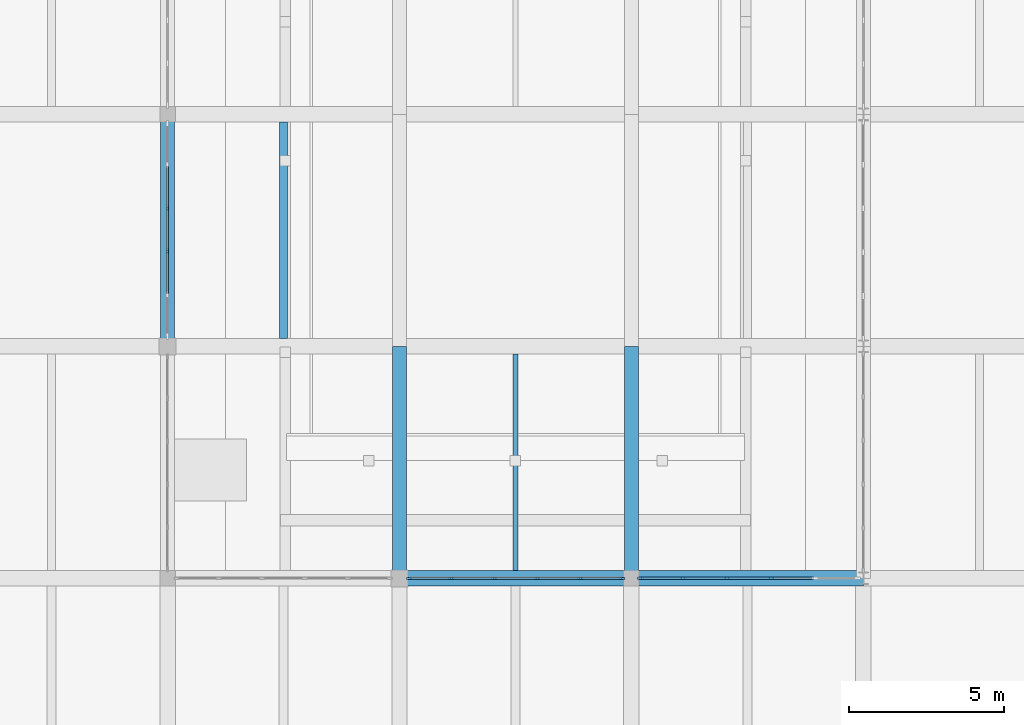
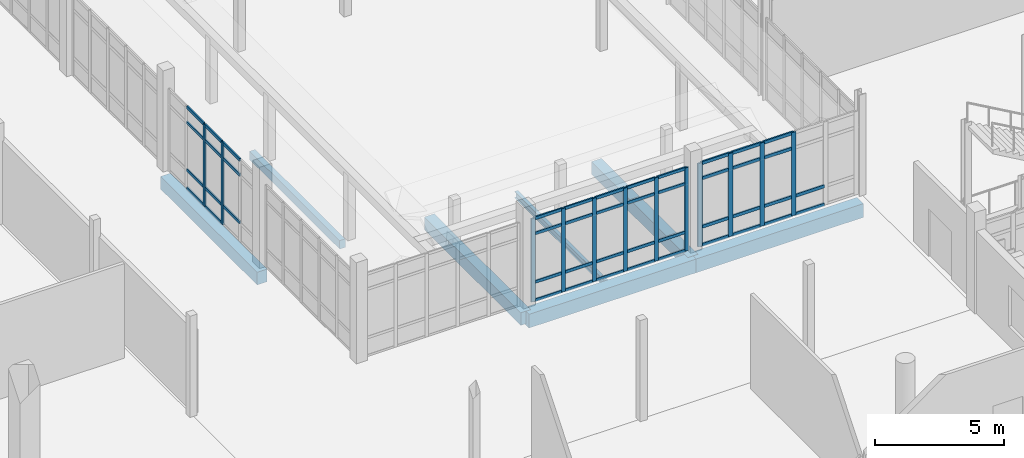
# One storey, part 25 of 125: 57 members, 7 beams, 3 elements without a shape of their own.
"""IFC4 building model written with IfcOpenShell, lengths in metres."""

from ifc_helpers import new_model, si_unit, direction, frame, origin, origin_2d, place, context, subcontext, project, spatial, rectangle, i_section, extrude, material, layer, layer_set, material_profile, profile_set, type_object, element, aggregate, save


model = new_model("IFC4")

# Units and contexts
model_context = context("Model", 3, precision=1e-05, world=origin(), true_north=direction((0.0, 1.0)))
body_context = subcontext(model_context, "Body", "Model", "MODEL_VIEW")
ifc_project = project(units=[si_unit("LENGTHUNIT", "METRE"), si_unit("AREAUNIT", "SQUARE_METRE"), si_unit("VOLUMEUNIT", "CUBIC_METRE"), si_unit("PLANEANGLEUNIT", "RADIAN"), si_unit("MASSUNIT", "GRAM", prefix="KILO")], contexts=[model_context])

# Site, building, storey
site_placement = place(None, origin())
site = spatial("IfcSite", under=ifc_project, at=site_placement, CompositionType="ELEMENT")
building_placement = place(site_placement, origin())
building = spatial("IfcBuilding", under=site, at=building_placement, Name="Dalvernix Boulevard General Hospital", CompositionType="ELEMENT")
storey_placement = place(building_placement, origin())
storey = spatial("IfcBuildingStorey", under=building, at=storey_placement, Name="L00", CompositionType="ELEMENT", Elevation=0.0)

# Beams
ifc_material_1 = material(Name="Concrete C35/45", Category="concrete")
ifc_material_profile_1 = material_profile(ifc_material_1, rectangle(XDim=0.5, YDim=0.64990234375, at=origin_2d()), Name="RCB 500x650")
ifc_profile_set_1 = profile_set([ifc_material_profile_1], Name="Concrete C35/45")
beam_type_1 = type_object("IfcBeamType", Name="BM-B-02-I", PredefinedType="BEAM", material=ifc_profile_set_1)
for number, where, z_axis, x_axis, name in (
    (1, (45.0, 31.5, -0.68505859375), (1.0, 0.0, 0.0), (0.0, 1.0, 0.0), "L00 E-W girder E:7-8"),
    (2, (52.5, 31.5, -0.68505859375), (1.0, 0.0, 0.0), (0.0, 1.0, 0.0), "L00 E-W girder E:8-9"),
):
    element("IfcBeam", number, at=place(storey_placement, frame(where, z_axis=z_axis, x_axis=x_axis)), inside=storey, type_object=beam_type_1, Name=name, PredefinedType="BEAM", context=body_context, shape_type="SweptSolid", body=[
        extrude(rectangle(XDim=0.5, YDim=0.64990234375, at=origin_2d()), origin(), (0.0, 0.0, 1.0), 7.5),
    ])
ifc_material_profile_2 = material_profile(ifc_material_1, rectangle(XDim=0.449951171875, YDim=0.60009765625, at=origin_2d()), Name="RCB 450x600")
ifc_profile_set_2 = profile_set([ifc_material_profile_2], Name="Concrete C35/45")
beam_type_2 = type_object("IfcBeamType", Name="BM-B-04-I", PredefinedType="BEAM", material=ifc_profile_set_2)
for number, where, z_axis, x_axis, name in (
    (3, (37.5, 39.0, -0.659912109375), (0.0, 1.0, 0.0), (-1.0, 0.0, 0.0), "L00 N-S girder 6:F-G"),
    (4, (45.0, 31.5, -0.659912109375), (0.0, 1.0, 0.0), (-1.0, 0.0, 0.0), "L00 N-S girder 7:E-F"),
    (5, (52.5, 31.5, -0.659912109375), (0.0, 1.0, 0.0), (-1.0, 0.0, 0.0), "L00 N-S girder 8:E-F"),
):
    element("IfcBeam", number, at=place(storey_placement, frame(where, z_axis=z_axis, x_axis=x_axis)), inside=storey, type_object=beam_type_2, Name=name, PredefinedType="BEAM", context=body_context, shape_type="SweptSolid", body=[
        extrude(rectangle(XDim=0.449951171875, YDim=0.60009765625, at=origin_2d()), origin(), (0.0, 0.0, 1.0), 7.5),
    ])
ifc_material_profile_3 = material_profile(ifc_material_1, rectangle(XDim=0.25, YDim=0.39990234375, at=origin_2d()), Name="RCB 250x400")
ifc_profile_set_3 = profile_set([ifc_material_profile_3], Name="Concrete C35/45")
beam_type_3 = type_object("IfcBeamType", Name="BM-JB-02", PredefinedType="JOIST", material=ifc_profile_set_3)
beam_1_placement = place(storey_placement, frame((41.25, 39.25, -0.56005859375), z_axis=(0.0, 1.0, 0.0), x_axis=(-1.0, 0.0, 0.0)))
element("IfcBeam", 6, at=beam_1_placement, inside=storey, type_object=beam_type_3, Name="L00 secondary floor beam 6-F", PredefinedType="JOIST", context=body_context, shape_type="SweptSolid", body=[
    extrude(rectangle(XDim=0.25, YDim=0.39990234375, at=origin_2d()), origin(), (0.0, 0.0, 1.0), 7.0),
])
ifc_material_2 = material(Name="Steel S355", Category="steel")
ifc_material_profile_4 = material_profile(ifc_material_2, i_section(OverallWidth=0.14990234375, OverallDepth=0.300048828125, WebThickness=0.007080078125, FlangeThickness=0.0107421875, FilletRadius=0.014892578125, at=origin_2d()), Name="IPE 300")
ifc_profile_set_4 = profile_set([ifc_material_profile_4], Name="Steel S355")
beam_type_4 = type_object("IfcBeamType", Name="BM-JB-03", PredefinedType="JOIST", material=ifc_profile_set_4)
beam_2_placement = place(storey_placement, frame((48.75, 31.75, -0.510009765625), z_axis=(0.0, 1.0, 0.0), x_axis=(-1.0, 0.0, 0.0)))
element("IfcBeam", 7, at=beam_2_placement, inside=storey, type_object=beam_type_4, Name="L00 secondary floor beam 7-E", PredefinedType="JOIST", context=body_context, shape_type="SweptSolid", body=[
    extrude(i_section(OverallWidth=0.14990234375, OverallDepth=0.300048828125, WebThickness=0.007080078125, FlangeThickness=0.0107421875, FilletRadius=0.014892578125, at=origin_2d()), origin(), (0.0, 0.0, 1.0), 7.0),
])

# Curtain wall, members
ifc_material_3 = material(Name="Thermally broken aluminium and solar-control glass curtain wall", Category="aluminium")
ifc_layer_1 = layer(ifc_material_3, 0.179931640625)
ifc_layer_set_1 = layer_set([ifc_layer_1], Name="Thermally broken aluminium and solar-control glass curtain wall (CW-CW-B-70x39)")
curtain_wall_type_1 = type_object("IfcCurtainWallType", Name="CW-CW-B-70x39", PredefinedType="USERDEFINED", material=ifc_layer_set_1)
curtain_wall_1_placement = place(storey_placement, origin())
curtain_wall_1 = element("IfcCurtainWall", 8, at=curtain_wall_1_placement, inside=storey, type_object=curtain_wall_type_1, Name="L00 curtain wall CW-B-70x39 5-5", ObjectType="GLAZED FACADE", PredefinedType="USERDEFINED")
ifc_material_4 = material(Name="Aluminium EN AW-6060", Category="aluminium")
ifc_material_profile_5 = material_profile(ifc_material_4, rectangle(XDim=0.06494140625, YDim=0.179931640625, at=origin_2d()), Name="ALU MULL 65x180")
ifc_profile_set_5 = profile_set([ifc_material_profile_5], Name="Aluminium EN AW-6060")
member_type_1 = type_object("IfcMemberType", Name="MEM-CW-M2", PredefinedType="MULLION", material=ifc_profile_set_5)
member_1_placement = place(storey_placement, frame((37.5, 43.4580078125, 0.0), z_axis=(0.0, 0.0, 1.0), x_axis=(1.0, 0.0, 0.0)))
member_1 = element("IfcMember", 9, at=member_1_placement, type_object=member_type_1, Name="CW-B-70x39 mullion 3", PredefinedType="MULLION", context=body_context, shape_type="SweptSolid", body=[
    extrude(rectangle(XDim=0.06494140625, YDim=0.179931640625, at=origin_2d()), origin(), (0.0, 0.0, 1.0), 3.89990234375),
])
member_2_placement = place(storey_placement, frame((37.5, 42.06689453125, 0.0), z_axis=(0.0, 0.0, 1.0), x_axis=(1.0, 0.0, 0.0)))
member_2 = element("IfcMember", 10, at=member_2_placement, type_object=member_type_1, Name="CW-B-70x39 mullion 4", PredefinedType="MULLION", context=body_context, shape_type="SweptSolid", body=[
    extrude(rectangle(XDim=0.06494140625, YDim=0.179931640625, at=origin_2d()), origin(), (0.0, 0.0, 1.0), 3.89990234375),
])

ifc_layer_2 = layer(ifc_material_3, 0.179931640625)
ifc_layer_set_2 = layer_set([ifc_layer_2], Name="Thermally broken aluminium and solar-control glass curtain wall (CW-CW-B-70x40)")
curtain_wall_type_2 = type_object("IfcCurtainWallType", Name="CW-CW-B-70x40", PredefinedType="USERDEFINED", material=ifc_layer_set_2)
curtain_wall_2_placement = place(storey_placement, origin())
curtain_wall_2 = element("IfcCurtainWall", 11, at=curtain_wall_2_placement, inside=storey, type_object=curtain_wall_type_2, Name="L00 curtain wall CW-B-70x40 6-4", ObjectType="GLAZED FACADE", PredefinedType="USERDEFINED")
member_3_placement = place(storey_placement, frame((45.3173828125, 31.5, 0.0), z_axis=(0.0, 0.0, 1.0), x_axis=(0.0, 1.0, 0.0)))
member_3 = element("IfcMember", 12, at=member_3_placement, type_object=member_type_1, Name="CW-B-70x40 mullion 1", PredefinedType="MULLION", context=body_context, shape_type="SweptSolid", body=[
    extrude(rectangle(XDim=0.06494140625, YDim=0.179931640625, at=origin_2d()), origin(), (0.0, 0.0, 1.0), 3.949951171875),
])
member_4_placement = place(storey_placement, frame((46.676025390625, 31.5, 0.0), z_axis=(0.0, 0.0, 1.0), x_axis=(0.0, 1.0, 0.0)))
member_4 = element("IfcMember", 13, at=member_4_placement, type_object=member_type_1, Name="CW-B-70x40 mullion 2", PredefinedType="MULLION", context=body_context, shape_type="SweptSolid", body=[
    extrude(rectangle(XDim=0.06494140625, YDim=0.179931640625, at=origin_2d()), origin(), (0.0, 0.0, 1.0), 3.949951171875),
])
member_5_placement = place(storey_placement, frame((48.06689453125, 31.5, 0.0), z_axis=(0.0, 0.0, 1.0), x_axis=(0.0, 1.0, 0.0)))
member_5 = element("IfcMember", 14, at=member_5_placement, type_object=member_type_1, Name="CW-B-70x40 mullion 3", PredefinedType="MULLION", context=body_context, shape_type="SweptSolid", body=[
    extrude(rectangle(XDim=0.06494140625, YDim=0.179931640625, at=origin_2d()), origin(), (0.0, 0.0, 1.0), 3.949951171875),
])
member_6_placement = place(storey_placement, frame((49.4580078125, 31.5, 0.0), z_axis=(0.0, 0.0, 1.0), x_axis=(0.0, 1.0, 0.0)))
member_6 = element("IfcMember", 15, at=member_6_placement, type_object=member_type_1, Name="CW-B-70x40 mullion 4", PredefinedType="MULLION", context=body_context, shape_type="SweptSolid", body=[
    extrude(rectangle(XDim=0.06494140625, YDim=0.179931640625, at=origin_2d()), origin(), (0.0, 0.0, 1.0), 3.949951171875),
])
member_7_placement = place(storey_placement, frame((50.84912109375, 31.5, 0.0), z_axis=(0.0, 0.0, 1.0), x_axis=(0.0, 1.0, 0.0)))
member_7 = element("IfcMember", 16, at=member_7_placement, type_object=member_type_1, Name="CW-B-70x40 mullion 5", PredefinedType="MULLION", context=body_context, shape_type="SweptSolid", body=[
    extrude(rectangle(XDim=0.06494140625, YDim=0.179931640625, at=origin_2d()), origin(), (0.0, 0.0, 1.0), 3.949951171875),
])
member_8_placement = place(storey_placement, frame((52.20751953125, 31.5, 0.0), z_axis=(0.0, 0.0, 1.0), x_axis=(0.0, 1.0, 0.0)))
member_8 = element("IfcMember", 17, at=member_8_placement, type_object=member_type_1, Name="CW-B-70x40 mullion 6", PredefinedType="MULLION", context=body_context, shape_type="SweptSolid", body=[
    extrude(rectangle(XDim=0.06494140625, YDim=0.179931640625, at=origin_2d()), origin(), (0.0, 0.0, 1.0), 3.949951171875),
])

ifc_layer_3 = layer(ifc_material_3, 0.199951171875)
ifc_layer_set_3 = layer_set([ifc_layer_3], Name="Thermally broken aluminium and solar-control glass curtain wall (CW-CW-C-71x40)")
curtain_wall_type_3 = type_object("IfcCurtainWallType", Name="CW-CW-C-71x40", PredefinedType="USERDEFINED", material=ifc_layer_set_3)
curtain_wall_3_placement = place(storey_placement, origin())
curtain_wall_3 = element("IfcCurtainWall", 18, at=curtain_wall_3_placement, inside=storey, type_object=curtain_wall_type_3, Name="L00 curtain wall CW-C-71x40 7-4", ObjectType="GLAZED FACADE", PredefinedType="USERDEFINED")
ifc_material_profile_6 = material_profile(ifc_material_4, rectangle(XDim=0.070068359375, YDim=0.199951171875, at=origin_2d()), Name="ALU MULL 70x200")
ifc_profile_set_6 = profile_set([ifc_material_profile_6], Name="Aluminium EN AW-6060")
member_type_2 = type_object("IfcMemberType", Name="MEM-CW-M3", PredefinedType="MULLION", material=ifc_profile_set_6)
member_9_placement = place(storey_placement, frame((52.794921875, 31.5, 0.0), z_axis=(0.0, 0.0, 1.0), x_axis=(0.0, 1.0, 0.0)))
member_9 = element("IfcMember", 19, at=member_9_placement, type_object=member_type_2, Name="CW-C-71x40 mullion 1", PredefinedType="MULLION", context=body_context, shape_type="SweptSolid", body=[
    extrude(rectangle(XDim=0.070068359375, YDim=0.199951171875, at=origin_2d()), origin(), (0.0, 0.0, 1.0), 3.949951171875),
])
member_10_placement = place(storey_placement, frame((54.176025390625, 31.5, 0.0), z_axis=(0.0, 0.0, 1.0), x_axis=(0.0, 1.0, 0.0)))
member_10 = element("IfcMember", 20, at=member_10_placement, type_object=member_type_2, Name="CW-C-71x40 mullion 2", PredefinedType="MULLION", context=body_context, shape_type="SweptSolid", body=[
    extrude(rectangle(XDim=0.070068359375, YDim=0.199951171875, at=origin_2d()), origin(), (0.0, 0.0, 1.0), 3.949951171875),
])
member_11_placement = place(storey_placement, frame((55.592041015625, 31.5, 0.0), z_axis=(0.0, 0.0, 1.0), x_axis=(0.0, 1.0, 0.0)))
member_11 = element("IfcMember", 21, at=member_11_placement, type_object=member_type_2, Name="CW-C-71x40 mullion 3", PredefinedType="MULLION", context=body_context, shape_type="SweptSolid", body=[
    extrude(rectangle(XDim=0.070068359375, YDim=0.199951171875, at=origin_2d()), origin(), (0.0, 0.0, 1.0), 3.949951171875),
])
member_12_placement = place(storey_placement, frame((57.008056640625, 31.5, 0.0), z_axis=(0.0, 0.0, 1.0), x_axis=(0.0, 1.0, 0.0)))
member_12 = element("IfcMember", 22, at=member_12_placement, type_object=member_type_2, Name="CW-C-71x40 mullion 4", PredefinedType="MULLION", context=body_context, shape_type="SweptSolid", body=[
    extrude(rectangle(XDim=0.070068359375, YDim=0.199951171875, at=origin_2d()), origin(), (0.0, 0.0, 1.0), 3.949951171875),
])

# Member
ifc_material_profile_7 = material_profile(ifc_material_4, rectangle(XDim=0.06494140625, YDim=0.139892578125, at=origin_2d()), Name="ALU TRAN 65x140")
ifc_profile_set_7 = profile_set([ifc_material_profile_7], Name="Aluminium EN AW-6060")
member_type_3 = type_object("IfcMemberType", Name="MEM-CW-T2", PredefinedType="USERDEFINED", material=ifc_profile_set_7)
member_13_placement = place(storey_placement, frame((37.5, 44.81640625, 0.032470703125), z_axis=(0.0, -1.0, 0.0), x_axis=(1.0, 0.0, 0.0)))
member_13 = element("IfcMember", 23, at=member_13_placement, type_object=member_type_3, Name="CW-B-70x39 transom 2.1", ObjectType="TRANSOM", PredefinedType="USERDEFINED", context=body_context, shape_type="SweptSolid", body=[
    extrude(rectangle(XDim=0.06494140625, YDim=0.139892578125, at=origin_2d()), origin(), (0.0, 0.0, 1.0), 1.325927734375),
])

member_14_placement = place(storey_placement, frame((37.5, 44.81640625, 0.89990234375), z_axis=(0.0, -1.0, 0.0), x_axis=(1.0, 0.0, 0.0)))
member_14 = element("IfcMember", 24, at=member_14_placement, type_object=member_type_3, Name="CW-B-70x39 transom 2.2", ObjectType="TRANSOM", PredefinedType="USERDEFINED", context=body_context, shape_type="SweptSolid", body=[
    extrude(rectangle(XDim=0.06494140625, YDim=0.139892578125, at=origin_2d()), origin(), (0.0, 0.0, 1.0), 1.325927734375),
])

member_15_placement = place(storey_placement, frame((37.5, 44.81640625, 3.14990234375), z_axis=(0.0, -1.0, 0.0), x_axis=(1.0, 0.0, 0.0)))
member_15 = element("IfcMember", 25, at=member_15_placement, type_object=member_type_3, Name="CW-B-70x39 transom 2.3", ObjectType="TRANSOM", PredefinedType="USERDEFINED", context=body_context, shape_type="SweptSolid", body=[
    extrude(rectangle(XDim=0.06494140625, YDim=0.139892578125, at=origin_2d()), origin(), (0.0, 0.0, 1.0), 1.325927734375),
])

member_16_placement = place(storey_placement, frame((37.5, 44.81640625, 3.867431640625), z_axis=(0.0, -1.0, 0.0), x_axis=(1.0, 0.0, 0.0)))
member_16 = element("IfcMember", 26, at=member_16_placement, type_object=member_type_3, Name="CW-B-70x39 transom 2.4", ObjectType="TRANSOM", PredefinedType="USERDEFINED", context=body_context, shape_type="SweptSolid", body=[
    extrude(rectangle(XDim=0.06494140625, YDim=0.139892578125, at=origin_2d()), origin(), (0.0, 0.0, 1.0), 1.325927734375),
])

member_17_placement = place(storey_placement, frame((37.5, 43.425537109375, 0.032470703125), z_axis=(0.0, -1.0, 0.0), x_axis=(1.0, 0.0, 0.0)))
member_17 = element("IfcMember", 27, at=member_17_placement, type_object=member_type_3, Name="CW-B-70x39 transom 3.1", ObjectType="TRANSOM", PredefinedType="USERDEFINED", context=body_context, shape_type="SweptSolid", body=[
    extrude(rectangle(XDim=0.06494140625, YDim=0.139892578125, at=origin_2d()), origin(), (0.0, 0.0, 1.0), 1.325927734375),
])

member_18_placement = place(storey_placement, frame((37.5, 43.425537109375, 0.89990234375), z_axis=(0.0, -1.0, 0.0), x_axis=(1.0, 0.0, 0.0)))
member_18 = element("IfcMember", 28, at=member_18_placement, type_object=member_type_3, Name="CW-B-70x39 transom 3.2", ObjectType="TRANSOM", PredefinedType="USERDEFINED", context=body_context, shape_type="SweptSolid", body=[
    extrude(rectangle(XDim=0.06494140625, YDim=0.139892578125, at=origin_2d()), origin(), (0.0, 0.0, 1.0), 1.325927734375),
])

member_19_placement = place(storey_placement, frame((37.5, 43.425537109375, 3.14990234375), z_axis=(0.0, -1.0, 0.0), x_axis=(1.0, 0.0, 0.0)))
member_19 = element("IfcMember", 29, at=member_19_placement, type_object=member_type_3, Name="CW-B-70x39 transom 3.3", ObjectType="TRANSOM", PredefinedType="USERDEFINED", context=body_context, shape_type="SweptSolid", body=[
    extrude(rectangle(XDim=0.06494140625, YDim=0.139892578125, at=origin_2d()), origin(), (0.0, 0.0, 1.0), 1.325927734375),
])

member_20_placement = place(storey_placement, frame((37.5, 43.425537109375, 3.867431640625), z_axis=(0.0, -1.0, 0.0), x_axis=(1.0, 0.0, 0.0)))
member_20 = element("IfcMember", 30, at=member_20_placement, type_object=member_type_3, Name="CW-B-70x39 transom 3.4", ObjectType="TRANSOM", PredefinedType="USERDEFINED", context=body_context, shape_type="SweptSolid", body=[
    extrude(rectangle(XDim=0.06494140625, YDim=0.139892578125, at=origin_2d()), origin(), (0.0, 0.0, 1.0), 1.325927734375),
])

member_21_placement = place(storey_placement, frame((37.5, 42.034423828125, 0.89990234375), z_axis=(0.0, -1.0, 0.0), x_axis=(1.0, 0.0, 0.0)))
member_21 = element("IfcMember", 31, at=member_21_placement, type_object=member_type_3, Name="CW-B-70x39 transom 4.2", ObjectType="TRANSOM", PredefinedType="USERDEFINED", context=body_context, shape_type="SweptSolid", body=[
    extrude(rectangle(XDim=0.06494140625, YDim=0.139892578125, at=origin_2d()), origin(), (0.0, 0.0, 1.0), 1.325927734375),
])

member_22_placement = place(storey_placement, frame((37.5, 42.034423828125, 3.14990234375), z_axis=(0.0, -1.0, 0.0), x_axis=(1.0, 0.0, 0.0)))
member_22 = element("IfcMember", 32, at=member_22_placement, type_object=member_type_3, Name="CW-B-70x39 transom 4.3", ObjectType="TRANSOM", PredefinedType="USERDEFINED", context=body_context, shape_type="SweptSolid", body=[
    extrude(rectangle(XDim=0.06494140625, YDim=0.139892578125, at=origin_2d()), origin(), (0.0, 0.0, 1.0), 1.325927734375),
])

member_23_placement = place(storey_placement, frame((37.5, 42.034423828125, 3.867431640625), z_axis=(0.0, -1.0, 0.0), x_axis=(1.0, 0.0, 0.0)))
member_23 = element("IfcMember", 33, at=member_23_placement, type_object=member_type_3, Name="CW-B-70x39 transom 4.4", ObjectType="TRANSOM", PredefinedType="USERDEFINED", context=body_context, shape_type="SweptSolid", body=[
    extrude(rectangle(XDim=0.06494140625, YDim=0.139892578125, at=origin_2d()), origin(), (0.0, 0.0, 1.0), 1.325927734375),
])

aggregate(curtain_wall_1, [member_1, member_2, member_13, member_14, member_15, member_16, member_17, member_18, member_19, member_20, member_21, member_22, member_23])

member_24_placement = place(storey_placement, frame((45.35009765625, 31.5, 0.032470703125), z_axis=(1.0, 0.0, 0.0), x_axis=(0.0, 1.0, 0.0)))
member_24 = element("IfcMember", 34, at=member_24_placement, type_object=member_type_3, Name="CW-B-70x40 transom 1.1", ObjectType="TRANSOM", PredefinedType="USERDEFINED", context=body_context, shape_type="SweptSolid", body=[
    extrude(rectangle(XDim=0.06494140625, YDim=0.139892578125, at=origin_2d()), origin(), (0.0, 0.0, 1.0), 1.29345703125),
])

member_25_placement = place(storey_placement, frame((45.35009765625, 31.5, 0.89990234375), z_axis=(1.0, 0.0, 0.0), x_axis=(0.0, 1.0, 0.0)))
member_25 = element("IfcMember", 35, at=member_25_placement, type_object=member_type_3, Name="CW-B-70x40 transom 1.2", ObjectType="TRANSOM", PredefinedType="USERDEFINED", context=body_context, shape_type="SweptSolid", body=[
    extrude(rectangle(XDim=0.06494140625, YDim=0.139892578125, at=origin_2d()), origin(), (0.0, 0.0, 1.0), 1.29345703125),
])

member_26_placement = place(storey_placement, frame((45.35009765625, 31.5, 3.199951171875), z_axis=(1.0, 0.0, 0.0), x_axis=(0.0, 1.0, 0.0)))
member_26 = element("IfcMember", 36, at=member_26_placement, type_object=member_type_3, Name="CW-B-70x40 transom 1.3", ObjectType="TRANSOM", PredefinedType="USERDEFINED", context=body_context, shape_type="SweptSolid", body=[
    extrude(rectangle(XDim=0.06494140625, YDim=0.139892578125, at=origin_2d()), origin(), (0.0, 0.0, 1.0), 1.29345703125),
])

member_27_placement = place(storey_placement, frame((45.35009765625, 31.5, 3.91748046875), z_axis=(1.0, 0.0, 0.0), x_axis=(0.0, 1.0, 0.0)))
member_27 = element("IfcMember", 37, at=member_27_placement, type_object=member_type_3, Name="CW-B-70x40 transom 1.4", ObjectType="TRANSOM", PredefinedType="USERDEFINED", context=body_context, shape_type="SweptSolid", body=[
    extrude(rectangle(XDim=0.06494140625, YDim=0.139892578125, at=origin_2d()), origin(), (0.0, 0.0, 1.0), 1.29345703125),
])

member_28_placement = place(storey_placement, frame((46.70849609375, 31.5, 0.032470703125), z_axis=(1.0, 0.0, 0.0), x_axis=(0.0, 1.0, 0.0)))
member_28 = element("IfcMember", 38, at=member_28_placement, type_object=member_type_3, Name="CW-B-70x40 transom 2.1", ObjectType="TRANSOM", PredefinedType="USERDEFINED", context=body_context, shape_type="SweptSolid", body=[
    extrude(rectangle(XDim=0.06494140625, YDim=0.139892578125, at=origin_2d()), origin(), (0.0, 0.0, 1.0), 1.325927734375),
])

member_29_placement = place(storey_placement, frame((46.70849609375, 31.5, 0.89990234375), z_axis=(1.0, 0.0, 0.0), x_axis=(0.0, 1.0, 0.0)))
member_29 = element("IfcMember", 39, at=member_29_placement, type_object=member_type_3, Name="CW-B-70x40 transom 2.2", ObjectType="TRANSOM", PredefinedType="USERDEFINED", context=body_context, shape_type="SweptSolid", body=[
    extrude(rectangle(XDim=0.06494140625, YDim=0.139892578125, at=origin_2d()), origin(), (0.0, 0.0, 1.0), 1.325927734375),
])

member_30_placement = place(storey_placement, frame((46.70849609375, 31.5, 3.199951171875), z_axis=(1.0, 0.0, 0.0), x_axis=(0.0, 1.0, 0.0)))
member_30 = element("IfcMember", 40, at=member_30_placement, type_object=member_type_3, Name="CW-B-70x40 transom 2.3", ObjectType="TRANSOM", PredefinedType="USERDEFINED", context=body_context, shape_type="SweptSolid", body=[
    extrude(rectangle(XDim=0.06494140625, YDim=0.139892578125, at=origin_2d()), origin(), (0.0, 0.0, 1.0), 1.325927734375),
])

member_31_placement = place(storey_placement, frame((46.70849609375, 31.5, 3.91748046875), z_axis=(1.0, 0.0, 0.0), x_axis=(0.0, 1.0, 0.0)))
member_31 = element("IfcMember", 41, at=member_31_placement, type_object=member_type_3, Name="CW-B-70x40 transom 2.4", ObjectType="TRANSOM", PredefinedType="USERDEFINED", context=body_context, shape_type="SweptSolid", body=[
    extrude(rectangle(XDim=0.06494140625, YDim=0.139892578125, at=origin_2d()), origin(), (0.0, 0.0, 1.0), 1.325927734375),
])

member_32_placement = place(storey_placement, frame((48.099609375, 31.5, 0.032470703125), z_axis=(1.0, 0.0, 0.0), x_axis=(0.0, 1.0, 0.0)))
member_32 = element("IfcMember", 42, at=member_32_placement, type_object=member_type_3, Name="CW-B-70x40 transom 3.1", ObjectType="TRANSOM", PredefinedType="USERDEFINED", context=body_context, shape_type="SweptSolid", body=[
    extrude(rectangle(XDim=0.06494140625, YDim=0.139892578125, at=origin_2d()), origin(), (0.0, 0.0, 1.0), 1.325927734375),
])

member_33_placement = place(storey_placement, frame((48.099609375, 31.5, 0.89990234375), z_axis=(1.0, 0.0, 0.0), x_axis=(0.0, 1.0, 0.0)))
member_33 = element("IfcMember", 43, at=member_33_placement, type_object=member_type_3, Name="CW-B-70x40 transom 3.2", ObjectType="TRANSOM", PredefinedType="USERDEFINED", context=body_context, shape_type="SweptSolid", body=[
    extrude(rectangle(XDim=0.06494140625, YDim=0.139892578125, at=origin_2d()), origin(), (0.0, 0.0, 1.0), 1.325927734375),
])

member_34_placement = place(storey_placement, frame((48.099609375, 31.5, 3.199951171875), z_axis=(1.0, 0.0, 0.0), x_axis=(0.0, 1.0, 0.0)))
member_34 = element("IfcMember", 44, at=member_34_placement, type_object=member_type_3, Name="CW-B-70x40 transom 3.3", ObjectType="TRANSOM", PredefinedType="USERDEFINED", context=body_context, shape_type="SweptSolid", body=[
    extrude(rectangle(XDim=0.06494140625, YDim=0.139892578125, at=origin_2d()), origin(), (0.0, 0.0, 1.0), 1.325927734375),
])

member_35_placement = place(storey_placement, frame((48.099609375, 31.5, 3.91748046875), z_axis=(1.0, 0.0, 0.0), x_axis=(0.0, 1.0, 0.0)))
member_35 = element("IfcMember", 45, at=member_35_placement, type_object=member_type_3, Name="CW-B-70x40 transom 3.4", ObjectType="TRANSOM", PredefinedType="USERDEFINED", context=body_context, shape_type="SweptSolid", body=[
    extrude(rectangle(XDim=0.06494140625, YDim=0.139892578125, at=origin_2d()), origin(), (0.0, 0.0, 1.0), 1.325927734375),
])

member_36_placement = place(storey_placement, frame((49.490478515625, 31.5, 0.032470703125), z_axis=(1.0, 0.0, 0.0), x_axis=(0.0, 1.0, 0.0)))
member_36 = element("IfcMember", 46, at=member_36_placement, type_object=member_type_3, Name="CW-B-70x40 transom 4.1", ObjectType="TRANSOM", PredefinedType="USERDEFINED", context=body_context, shape_type="SweptSolid", body=[
    extrude(rectangle(XDim=0.06494140625, YDim=0.139892578125, at=origin_2d()), origin(), (0.0, 0.0, 1.0), 1.325927734375),
])

member_37_placement = place(storey_placement, frame((49.490478515625, 31.5, 0.89990234375), z_axis=(1.0, 0.0, 0.0), x_axis=(0.0, 1.0, 0.0)))
member_37 = element("IfcMember", 47, at=member_37_placement, type_object=member_type_3, Name="CW-B-70x40 transom 4.2", ObjectType="TRANSOM", PredefinedType="USERDEFINED", context=body_context, shape_type="SweptSolid", body=[
    extrude(rectangle(XDim=0.06494140625, YDim=0.139892578125, at=origin_2d()), origin(), (0.0, 0.0, 1.0), 1.325927734375),
])

member_38_placement = place(storey_placement, frame((49.490478515625, 31.5, 3.199951171875), z_axis=(1.0, 0.0, 0.0), x_axis=(0.0, 1.0, 0.0)))
member_38 = element("IfcMember", 48, at=member_38_placement, type_object=member_type_3, Name="CW-B-70x40 transom 4.3", ObjectType="TRANSOM", PredefinedType="USERDEFINED", context=body_context, shape_type="SweptSolid", body=[
    extrude(rectangle(XDim=0.06494140625, YDim=0.139892578125, at=origin_2d()), origin(), (0.0, 0.0, 1.0), 1.325927734375),
])

member_39_placement = place(storey_placement, frame((49.490478515625, 31.5, 3.91748046875), z_axis=(1.0, 0.0, 0.0), x_axis=(0.0, 1.0, 0.0)))
member_39 = element("IfcMember", 49, at=member_39_placement, type_object=member_type_3, Name="CW-B-70x40 transom 4.4", ObjectType="TRANSOM", PredefinedType="USERDEFINED", context=body_context, shape_type="SweptSolid", body=[
    extrude(rectangle(XDim=0.06494140625, YDim=0.139892578125, at=origin_2d()), origin(), (0.0, 0.0, 1.0), 1.325927734375),
])

member_40_placement = place(storey_placement, frame((50.881591796875, 31.5, 0.032470703125), z_axis=(1.0, 0.0, 0.0), x_axis=(0.0, 1.0, 0.0)))
member_40 = element("IfcMember", 50, at=member_40_placement, type_object=member_type_3, Name="CW-B-70x40 transom 5.1", ObjectType="TRANSOM", PredefinedType="USERDEFINED", context=body_context, shape_type="SweptSolid", body=[
    extrude(rectangle(XDim=0.06494140625, YDim=0.139892578125, at=origin_2d()), origin(), (0.0, 0.0, 1.0), 1.29345703125),
])

member_41_placement = place(storey_placement, frame((50.881591796875, 31.5, 0.89990234375), z_axis=(1.0, 0.0, 0.0), x_axis=(0.0, 1.0, 0.0)))
member_41 = element("IfcMember", 51, at=member_41_placement, type_object=member_type_3, Name="CW-B-70x40 transom 5.2", ObjectType="TRANSOM", PredefinedType="USERDEFINED", context=body_context, shape_type="SweptSolid", body=[
    extrude(rectangle(XDim=0.06494140625, YDim=0.139892578125, at=origin_2d()), origin(), (0.0, 0.0, 1.0), 1.29345703125),
])

member_42_placement = place(storey_placement, frame((50.881591796875, 31.5, 3.199951171875), z_axis=(1.0, 0.0, 0.0), x_axis=(0.0, 1.0, 0.0)))
member_42 = element("IfcMember", 52, at=member_42_placement, type_object=member_type_3, Name="CW-B-70x40 transom 5.3", ObjectType="TRANSOM", PredefinedType="USERDEFINED", context=body_context, shape_type="SweptSolid", body=[
    extrude(rectangle(XDim=0.06494140625, YDim=0.139892578125, at=origin_2d()), origin(), (0.0, 0.0, 1.0), 1.29345703125),
])

member_43_placement = place(storey_placement, frame((50.881591796875, 31.5, 3.91748046875), z_axis=(1.0, 0.0, 0.0), x_axis=(0.0, 1.0, 0.0)))
member_43 = element("IfcMember", 53, at=member_43_placement, type_object=member_type_3, Name="CW-B-70x40 transom 5.4", ObjectType="TRANSOM", PredefinedType="USERDEFINED", context=body_context, shape_type="SweptSolid", body=[
    extrude(rectangle(XDim=0.06494140625, YDim=0.139892578125, at=origin_2d()), origin(), (0.0, 0.0, 1.0), 1.29345703125),
])

aggregate(curtain_wall_2, [member_3, member_4, member_5, member_6, member_7, member_8, member_24, member_25, member_26, member_27, member_28, member_29, member_30, member_31, member_32, member_33, member_34, member_35, member_36, member_37, member_38, member_39, member_40, member_41, member_42, member_43])

ifc_material_profile_8 = material_profile(ifc_material_4, rectangle(XDim=0.070068359375, YDim=0.14990234375, at=origin_2d()), Name="ALU TRAN 70x150")
ifc_profile_set_8 = profile_set([ifc_material_profile_8], Name="Aluminium EN AW-6060")
member_type_4 = type_object("IfcMemberType", Name="MEM-CW-T3", PredefinedType="USERDEFINED", material=ifc_profile_set_8)
member_44_placement = place(storey_placement, frame((52.830078125, 31.5, 0.034912109375), z_axis=(1.0, 0.0, 0.0), x_axis=(0.0, 1.0, 0.0)))
member_44 = element("IfcMember", 54, at=member_44_placement, type_object=member_type_4, Name="CW-C-71x40 transom 1.1", ObjectType="TRANSOM", PredefinedType="USERDEFINED", context=body_context, shape_type="SweptSolid", body=[
    extrude(rectangle(XDim=0.070068359375, YDim=0.14990234375, at=origin_2d()), origin(), (0.0, 0.0, 1.0), 1.31103515625),
])

member_45_placement = place(storey_placement, frame((52.830078125, 31.5, 0.89990234375), z_axis=(1.0, 0.0, 0.0), x_axis=(0.0, 1.0, 0.0)))
member_45 = element("IfcMember", 55, at=member_45_placement, type_object=member_type_4, Name="CW-C-71x40 transom 1.2", ObjectType="TRANSOM", PredefinedType="USERDEFINED", context=body_context, shape_type="SweptSolid", body=[
    extrude(rectangle(XDim=0.070068359375, YDim=0.14990234375, at=origin_2d()), origin(), (0.0, 0.0, 1.0), 1.31103515625),
])

member_46_placement = place(storey_placement, frame((52.830078125, 31.5, 3.199951171875), z_axis=(1.0, 0.0, 0.0), x_axis=(0.0, 1.0, 0.0)))
member_46 = element("IfcMember", 56, at=member_46_placement, type_object=member_type_4, Name="CW-C-71x40 transom 1.3", ObjectType="TRANSOM", PredefinedType="USERDEFINED", context=body_context, shape_type="SweptSolid", body=[
    extrude(rectangle(XDim=0.070068359375, YDim=0.14990234375, at=origin_2d()), origin(), (0.0, 0.0, 1.0), 1.31103515625),
])

member_47_placement = place(storey_placement, frame((52.830078125, 31.5, 3.9150390625), z_axis=(1.0, 0.0, 0.0), x_axis=(0.0, 1.0, 0.0)))
member_47 = element("IfcMember", 57, at=member_47_placement, type_object=member_type_4, Name="CW-C-71x40 transom 1.4", ObjectType="TRANSOM", PredefinedType="USERDEFINED", context=body_context, shape_type="SweptSolid", body=[
    extrude(rectangle(XDim=0.070068359375, YDim=0.14990234375, at=origin_2d()), origin(), (0.0, 0.0, 1.0), 1.31103515625),
])

member_48_placement = place(storey_placement, frame((54.2109375, 31.5, 0.034912109375), z_axis=(1.0, 0.0, 0.0), x_axis=(0.0, 1.0, 0.0)))
member_48 = element("IfcMember", 58, at=member_48_placement, type_object=member_type_4, Name="CW-C-71x40 transom 2.1", ObjectType="TRANSOM", PredefinedType="USERDEFINED", context=body_context, shape_type="SweptSolid", body=[
    extrude(rectangle(XDim=0.070068359375, YDim=0.14990234375, at=origin_2d()), origin(), (0.0, 0.0, 1.0), 1.345947265625),
])

member_49_placement = place(storey_placement, frame((54.2109375, 31.5, 0.89990234375), z_axis=(1.0, 0.0, 0.0), x_axis=(0.0, 1.0, 0.0)))
member_49 = element("IfcMember", 59, at=member_49_placement, type_object=member_type_4, Name="CW-C-71x40 transom 2.2", ObjectType="TRANSOM", PredefinedType="USERDEFINED", context=body_context, shape_type="SweptSolid", body=[
    extrude(rectangle(XDim=0.070068359375, YDim=0.14990234375, at=origin_2d()), origin(), (0.0, 0.0, 1.0), 1.345947265625),
])

member_50_placement = place(storey_placement, frame((54.2109375, 31.5, 3.199951171875), z_axis=(1.0, 0.0, 0.0), x_axis=(0.0, 1.0, 0.0)))
member_50 = element("IfcMember", 60, at=member_50_placement, type_object=member_type_4, Name="CW-C-71x40 transom 2.3", ObjectType="TRANSOM", PredefinedType="USERDEFINED", context=body_context, shape_type="SweptSolid", body=[
    extrude(rectangle(XDim=0.070068359375, YDim=0.14990234375, at=origin_2d()), origin(), (0.0, 0.0, 1.0), 1.345947265625),
])

member_51_placement = place(storey_placement, frame((54.2109375, 31.5, 3.9150390625), z_axis=(1.0, 0.0, 0.0), x_axis=(0.0, 1.0, 0.0)))
member_51 = element("IfcMember", 61, at=member_51_placement, type_object=member_type_4, Name="CW-C-71x40 transom 2.4", ObjectType="TRANSOM", PredefinedType="USERDEFINED", context=body_context, shape_type="SweptSolid", body=[
    extrude(rectangle(XDim=0.070068359375, YDim=0.14990234375, at=origin_2d()), origin(), (0.0, 0.0, 1.0), 1.345947265625),
])

member_52_placement = place(storey_placement, frame((55.626953125, 31.5, 0.034912109375), z_axis=(1.0, 0.0, 0.0), x_axis=(0.0, 1.0, 0.0)))
member_52 = element("IfcMember", 62, at=member_52_placement, type_object=member_type_4, Name="CW-C-71x40 transom 3.1", ObjectType="TRANSOM", PredefinedType="USERDEFINED", context=body_context, shape_type="SweptSolid", body=[
    extrude(rectangle(XDim=0.070068359375, YDim=0.14990234375, at=origin_2d()), origin(), (0.0, 0.0, 1.0), 1.345947265625),
])

member_53_placement = place(storey_placement, frame((55.626953125, 31.5, 0.89990234375), z_axis=(1.0, 0.0, 0.0), x_axis=(0.0, 1.0, 0.0)))
member_53 = element("IfcMember", 63, at=member_53_placement, type_object=member_type_4, Name="CW-C-71x40 transom 3.2", ObjectType="TRANSOM", PredefinedType="USERDEFINED", context=body_context, shape_type="SweptSolid", body=[
    extrude(rectangle(XDim=0.070068359375, YDim=0.14990234375, at=origin_2d()), origin(), (0.0, 0.0, 1.0), 1.345947265625),
])

member_54_placement = place(storey_placement, frame((55.626953125, 31.5, 3.199951171875), z_axis=(1.0, 0.0, 0.0), x_axis=(0.0, 1.0, 0.0)))
member_54 = element("IfcMember", 64, at=member_54_placement, type_object=member_type_4, Name="CW-C-71x40 transom 3.3", ObjectType="TRANSOM", PredefinedType="USERDEFINED", context=body_context, shape_type="SweptSolid", body=[
    extrude(rectangle(XDim=0.070068359375, YDim=0.14990234375, at=origin_2d()), origin(), (0.0, 0.0, 1.0), 1.345947265625),
])

member_55_placement = place(storey_placement, frame((55.626953125, 31.5, 3.9150390625), z_axis=(1.0, 0.0, 0.0), x_axis=(0.0, 1.0, 0.0)))
member_55 = element("IfcMember", 65, at=member_55_placement, type_object=member_type_4, Name="CW-C-71x40 transom 3.4", ObjectType="TRANSOM", PredefinedType="USERDEFINED", context=body_context, shape_type="SweptSolid", body=[
    extrude(rectangle(XDim=0.070068359375, YDim=0.14990234375, at=origin_2d()), origin(), (0.0, 0.0, 1.0), 1.345947265625),
])

member_56_placement = place(storey_placement, frame((57.04296875, 31.5, 0.034912109375), z_axis=(1.0, 0.0, 0.0), x_axis=(0.0, 1.0, 0.0)))
member_56 = element("IfcMember", 66, at=member_56_placement, type_object=member_type_4, Name="CW-C-71x40 transom 4.1", ObjectType="TRANSOM", PredefinedType="USERDEFINED", context=body_context, shape_type="SweptSolid", body=[
    extrude(rectangle(XDim=0.070068359375, YDim=0.14990234375, at=origin_2d()), origin(), (0.0, 0.0, 1.0), 1.345947265625),
])

member_57_placement = place(storey_placement, frame((57.04296875, 31.5, 0.89990234375), z_axis=(1.0, 0.0, 0.0), x_axis=(0.0, 1.0, 0.0)))
member_57 = element("IfcMember", 67, at=member_57_placement, type_object=member_type_4, Name="CW-C-71x40 transom 4.2", ObjectType="TRANSOM", PredefinedType="USERDEFINED", context=body_context, shape_type="SweptSolid", body=[
    extrude(rectangle(XDim=0.070068359375, YDim=0.14990234375, at=origin_2d()), origin(), (0.0, 0.0, 1.0), 1.345947265625),
])

aggregate(curtain_wall_3, [member_9, member_10, member_11, member_12, member_44, member_45, member_46, member_47, member_48, member_49, member_50, member_51, member_52, member_53, member_54, member_55, member_56, member_57])

save(model, "model.ifc")
